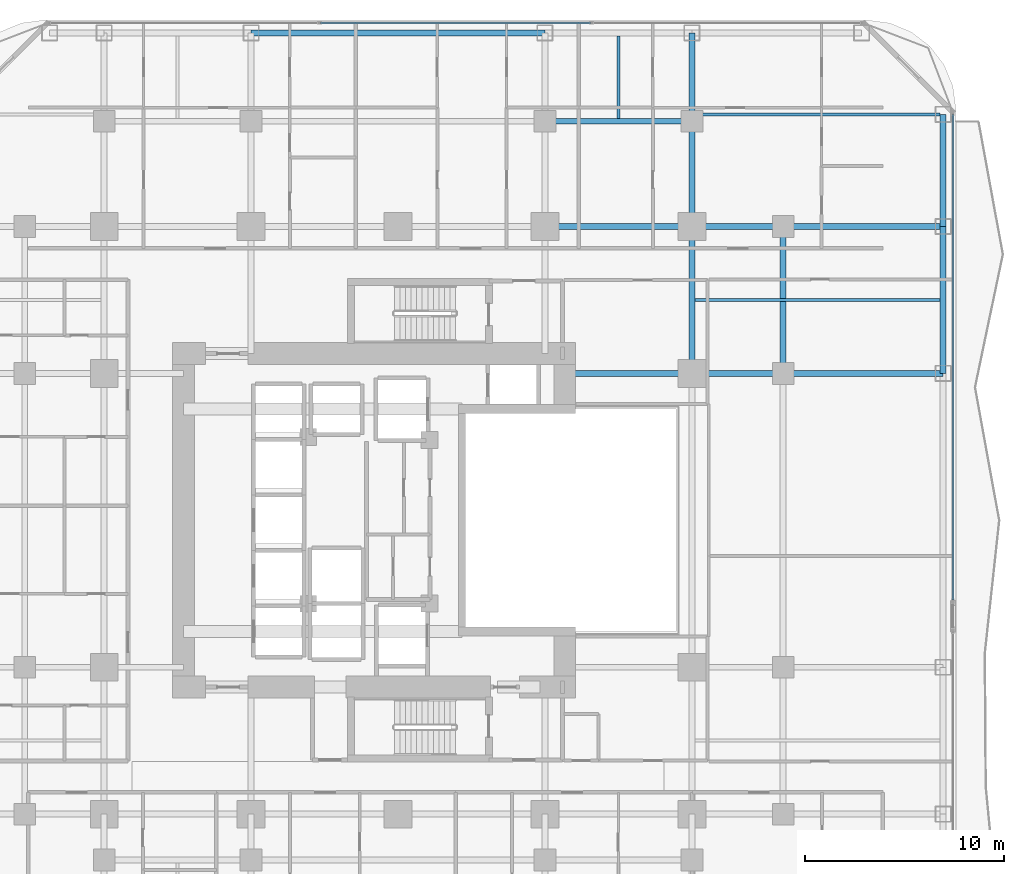
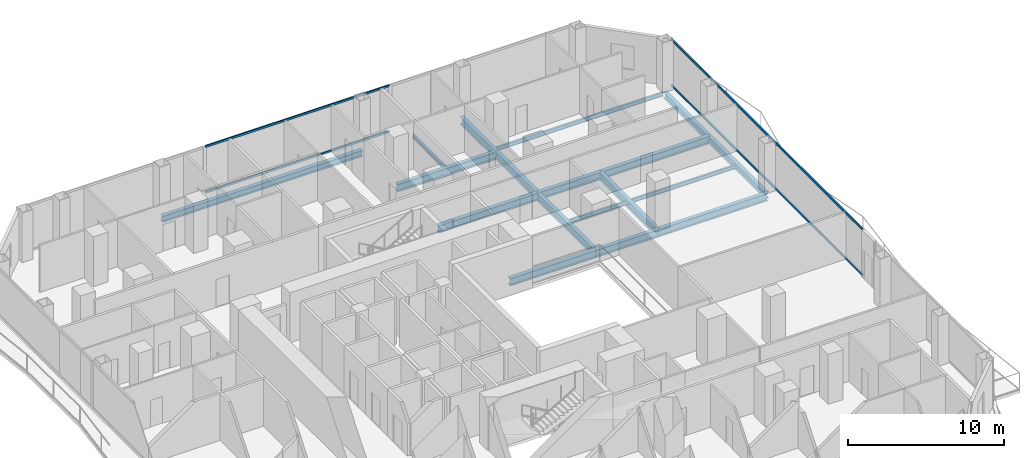
# One storey, part 16 of 28: 17 beams, 4 members, 2 elements without a shape of their own.
"""IFC4 building model written with IfcOpenShell, lengths in metres."""

from ifc_helpers import new_model, si_unit, direction, frame, origin, origin_2d, place, context, subcontext, project, spatial, hollow_rectangle, i_section, extrude, material, layer, layer_set, material_profile, profile_set, type_object, element, aggregate, save


model = new_model("IFC4")

# Units and contexts
model_context = context("Model", 3, precision=1e-05, world=origin(), true_north=direction((0.0, 1.0)))
body_context = subcontext(model_context, "Body", "Model", "MODEL_VIEW")
ifc_project = project(units=[si_unit("LENGTHUNIT", "METRE"), si_unit("AREAUNIT", "SQUARE_METRE"), si_unit("VOLUMEUNIT", "CUBIC_METRE"), si_unit("PLANEANGLEUNIT", "RADIAN"), si_unit("MASSUNIT", "GRAM", prefix="KILO")], contexts=[model_context])

# Site, building, storey
site_placement = place(None, origin())
site = spatial("IfcSite", under=ifc_project, at=site_placement, CompositionType="ELEMENT")
building_placement = place(site_placement, origin())
building = spatial("IfcBuilding", under=site, at=building_placement, Name="Khorvyn Point Tower", CompositionType="ELEMENT")
storey_placement = place(building_placement, frame((0.0, 0.0, 34.5)))
storey = spatial("IfcBuildingStorey", under=building, at=storey_placement, Name="L09", CompositionType="ELEMENT", Elevation=34.5)

# Curtain wall, members
ifc_material_1 = material(Name="Anodised aluminium 6063-T6 and laminated Low-E glass", Category="aluminium")
ifc_layer = layer(ifc_material_1, 0.18994140625)
ifc_layer_set = layer_set([ifc_layer], Name="Stick-Built Finned Residential Curtain Wall CW-SYS-02")
curtain_wall_type = type_object("IfcCurtainWallType", Name="Stick-Built Finned Residential Curtain Wall CW-SYS-02", PredefinedType="NOTDEFINED", material=ifc_layer_set)
curtain_wall_1_placement = place(storey_placement, origin())
curtain_wall_1 = element("IfcCurtainWall", 1, at=curtain_wall_1_placement, inside=storey, type_object=curtain_wall_type, Name="Curtain Wall", PredefinedType="NOTDEFINED")
ifc_material_2 = material(Name="Anodised aluminium 6063-T6", Category="aluminium")
ifc_material_profile_1 = material_profile(ifc_material_2, hollow_rectangle(XDim=0.10009765625, YDim=0.159912109375, WallThickness=0.00439453125, at=origin_2d()))
ifc_profile_set_1 = profile_set([ifc_material_profile_1], Name="Anodised aluminium 6063-T6 ALU-TRN-100x160")
member_type = type_object("IfcMemberType", Name="Anodised Aluminium 6063-T6 Transom ALU-TRN-100x160", PredefinedType="USERDEFINED", material=ifc_profile_set_1)
member_1_placement = place(storey_placement, frame((-3.89990234375, 25.050048828125, 0.050048828125), z_axis=(1.0, 0.0, 0.0), x_axis=(0.0, 1.0, 0.0)))
member_1 = element("IfcMember", 2, at=member_1_placement, type_object=member_type, Name="Transom", ObjectType="TRANSOM", PredefinedType="USERDEFINED", context=body_context, shape_type="SweptSolid", body=[
    extrude(hollow_rectangle(XDim=0.10009765625, YDim=0.159912109375, WallThickness=0.00439453125, at=origin_2d()), origin(), (0.0, 0.0, 1.0), 13.599853515625),
])
member_2_placement = place(storey_placement, frame((-3.89990234375, 25.050048828125, 3.6298828125), z_axis=(1.0, 0.0, 0.0), x_axis=(0.0, 1.0, 0.0)))
member_2 = element("IfcMember", 3, at=member_2_placement, type_object=member_type, Name="Transom", ObjectType="TRANSOM", PredefinedType="USERDEFINED", context=body_context, shape_type="SweptSolid", body=[
    extrude(hollow_rectangle(XDim=0.10009765625, YDim=0.159912109375, WallThickness=0.00439453125, at=origin_2d()), origin(), (0.0, 0.0, 1.0), 13.599853515625),
])
aggregate(curtain_wall_1, [member_1, member_2])

curtain_wall_2_placement = place(storey_placement, origin())
curtain_wall_2 = element("IfcCurtainWall", 4, at=curtain_wall_2_placement, inside=storey, type_object=curtain_wall_type, Name="Curtain Wall", PredefinedType="NOTDEFINED")
member_3_placement = place(storey_placement, frame((27.949951171875, 20.449951171875, 0.050048828125), z_axis=(0.0, -1.0, 0.0), x_axis=(1.0, 0.0, 0.0)))
member_3 = element("IfcMember", 5, at=member_3_placement, type_object=member_type, Name="Transom", ObjectType="TRANSOM", PredefinedType="USERDEFINED", context=body_context, shape_type="SweptSolid", body=[
    extrude(hollow_rectangle(XDim=0.10009765625, YDim=0.159912109375, WallThickness=0.00439453125, at=origin_2d()), origin(), (0.0, 0.0, 1.0), 24.4599609375),
])
member_4_placement = place(storey_placement, frame((27.949951171875, 20.449951171875, 3.6298828125), z_axis=(0.0, -1.0, 0.0), x_axis=(1.0, 0.0, 0.0)))
member_4 = element("IfcMember", 6, at=member_4_placement, type_object=member_type, Name="Transom", ObjectType="TRANSOM", PredefinedType="USERDEFINED", context=body_context, shape_type="SweptSolid", body=[
    extrude(hollow_rectangle(XDim=0.10009765625, YDim=0.159912109375, WallThickness=0.00439453125, at=origin_2d()), origin(), (0.0, 0.0, 1.0), 24.4599609375),
])
aggregate(curtain_wall_2, [member_3, member_4])

# Beams
ifc_material_3 = material(Name="Steel S355", Category="steel")
ifc_material_profile_2 = material_profile(ifc_material_3, i_section(OverallWidth=0.300048828125, OverallDepth=0.587890625, WebThickness=0.011962890625, FlangeThickness=0.02001953125, at=origin_2d()))
ifc_profile_set_2 = profile_set([ifc_material_profile_2], Name="Steel S355 H588x300x12x20")
beam_type_1 = type_object("IfcBeamType", Name="Steel S355 Beam H588x300x12x20", PredefinedType="BEAM", material=ifc_profile_set_2)
beam_1_placement = place(storey_placement, frame((7.39990234375, 14.800048828125, -0.513916015625), z_axis=(1.0, 0.0, 0.0), x_axis=(0.0, 1.0, 0.0)))
element("IfcBeam", 7, at=beam_1_placement, inside=storey, type_object=beam_type_1, Name="Beam", PredefinedType="BEAM", context=body_context, shape_type="SweptSolid", body=[
    extrude(i_section(OverallWidth=0.300048828125, OverallDepth=0.587890625, WebThickness=0.011962890625, FlangeThickness=0.02001953125, at=origin_2d()), origin(), (0.0, 0.0, 1.0), 7.400146484375),
])
beam_2_placement = place(storey_placement, frame((14.800048828125, 14.800048828125, -0.513916015625), z_axis=(1.0, 0.0, 0.0), x_axis=(0.0, 1.0, 0.0)))
element("IfcBeam", 8, at=beam_2_placement, inside=storey, type_object=beam_type_1, Name="Beam", PredefinedType="BEAM", context=body_context, shape_type="SweptSolid", body=[
    extrude(i_section(OverallWidth=0.300048828125, OverallDepth=0.587890625, WebThickness=0.011962890625, FlangeThickness=0.02001953125, at=origin_2d()), origin(), (0.0, 0.0, 1.0), 4.599853515625),
])
beam_3_placement = place(storey_placement, frame((19.39990234375, 14.800048828125, -0.513916015625), z_axis=(1.0, 0.0, 0.0), x_axis=(0.0, 1.0, 0.0)))
element("IfcBeam", 9, at=beam_3_placement, inside=storey, type_object=beam_type_1, Name="Beam", PredefinedType="BEAM", context=body_context, shape_type="SweptSolid", body=[
    extrude(i_section(OverallWidth=0.300048828125, OverallDepth=0.587890625, WebThickness=0.011962890625, FlangeThickness=0.02001953125, at=origin_2d()), origin(), (0.0, 0.0, 1.0), 8.050048828125),
])
beam_4_placement = place(storey_placement, frame((8.39990234375, 7.39990234375, -0.513916015625), z_axis=(1.0, 0.0, 0.0), x_axis=(0.0, 1.0, 0.0)))
element("IfcBeam", 10, at=beam_4_placement, inside=storey, type_object=beam_type_1, Name="Beam", PredefinedType="BEAM", context=body_context, shape_type="SweptSolid", body=[
    extrude(i_section(OverallWidth=0.300048828125, OverallDepth=0.587890625, WebThickness=0.011962890625, FlangeThickness=0.02001953125, at=origin_2d()), origin(), (0.0, 0.0, 1.0), 6.400146484375),
])
beam_5_placement = place(storey_placement, frame((14.800048828125, 7.39990234375, -0.513916015625), z_axis=(1.0, 0.0, 0.0), x_axis=(0.0, 1.0, 0.0)))
element("IfcBeam", 11, at=beam_5_placement, inside=storey, type_object=beam_type_1, Name="Beam", PredefinedType="BEAM", context=body_context, shape_type="SweptSolid", body=[
    extrude(i_section(OverallWidth=0.300048828125, OverallDepth=0.587890625, WebThickness=0.011962890625, FlangeThickness=0.02001953125, at=origin_2d()), origin(), (0.0, 0.0, 1.0), 4.599853515625),
])
beam_6_placement = place(storey_placement, frame((19.39990234375, 7.39990234375, -0.513916015625), z_axis=(1.0, 0.0, 0.0), x_axis=(0.0, 1.0, 0.0)))
element("IfcBeam", 12, at=beam_6_placement, inside=storey, type_object=beam_type_1, Name="Beam", PredefinedType="BEAM", context=body_context, shape_type="SweptSolid", body=[
    extrude(i_section(OverallWidth=0.300048828125, OverallDepth=0.587890625, WebThickness=0.011962890625, FlangeThickness=0.02001953125, at=origin_2d()), origin(), (0.0, 0.0, 1.0), 8.050048828125),
])
for number, where, z_axis, x_axis, name in (
    (13, (7.39990234375, 20.10009765625, -0.513916015625), (1.0, 0.0, 0.0), (0.0, 1.0, 0.0), "Beam"),
    (14, (14.800048828125, 7.39990234375, -0.513916015625), (0.0, 1.0, 0.0), (-1.0, 0.0, 0.0), "Beam"),
):
    element("IfcBeam", number, at=place(storey_placement, frame(where, z_axis=z_axis, x_axis=x_axis)), inside=storey, type_object=beam_type_1, Name=name, PredefinedType="BEAM", context=body_context, shape_type="SweptSolid", body=[
        extrude(i_section(OverallWidth=0.300048828125, OverallDepth=0.587890625, WebThickness=0.011962890625, FlangeThickness=0.02001953125, at=origin_2d()), origin(), (0.0, 0.0, 1.0), 7.400146484375),
    ])
beam_7_placement = place(storey_placement, frame((14.800048828125, 14.800048828125, -0.513916015625), z_axis=(0.0, 1.0, 0.0), x_axis=(-1.0, 0.0, 0.0)))
element("IfcBeam", 15, at=beam_7_placement, inside=storey, type_object=beam_type_1, Name="Beam", PredefinedType="BEAM", context=body_context, shape_type="SweptSolid", body=[
    extrude(i_section(OverallWidth=0.300048828125, OverallDepth=0.587890625, WebThickness=0.011962890625, FlangeThickness=0.02001953125, at=origin_2d()), origin(), (0.0, 0.0, 1.0), 5.300048828125),
])
beam_8_placement = place(storey_placement, frame((14.800048828125, 20.10009765625, -0.513916015625), z_axis=(0.0, 1.0, 0.0), x_axis=(-1.0, 0.0, 0.0)))
element("IfcBeam", 16, at=beam_8_placement, inside=storey, type_object=beam_type_1, Name="Beam", PredefinedType="BEAM", context=body_context, shape_type="SweptSolid", body=[
    extrude(i_section(OverallWidth=0.300048828125, OverallDepth=0.587890625, WebThickness=0.011962890625, FlangeThickness=0.02001953125, at=origin_2d()), origin(), (0.0, 0.0, 1.0), 4.449951171875),
])
beam_9_placement = place(storey_placement, frame((19.39990234375, 7.39990234375, -0.513916015625), z_axis=(0.0, 1.0, 0.0), x_axis=(-1.0, 0.0, 0.0)))
element("IfcBeam", 17, at=beam_9_placement, inside=storey, type_object=beam_type_1, Name="Beam", PredefinedType="BEAM", context=body_context, shape_type="SweptSolid", body=[
    extrude(i_section(OverallWidth=0.300048828125, OverallDepth=0.587890625, WebThickness=0.011962890625, FlangeThickness=0.02001953125, at=origin_2d()), origin(), (0.0, 0.0, 1.0), 7.400146484375),
])
ifc_material_profile_3 = material_profile(ifc_material_3, i_section(OverallWidth=0.14990234375, OverallDepth=0.300048828125, WebThickness=0.006591796875, FlangeThickness=0.009033203125, at=origin_2d()))
ifc_profile_set_3 = profile_set([ifc_material_profile_3], Name="Steel S355 H300x150x6.5x9")
beam_type_2 = type_object("IfcBeamType", Name="Steel S355 Joist H300x150x6.5x9", PredefinedType="JOIST", material=ifc_profile_set_3)
beam_10_placement = place(storey_placement, frame((14.949951171875, 11.10009765625, -0.3701171875), z_axis=(1.0, 0.0, 0.0), x_axis=(0.0, 1.0, 0.0)))
element("IfcBeam", 18, at=beam_10_placement, inside=storey, type_object=beam_type_2, Name="Beam", PredefinedType="JOIST", context=body_context, shape_type="SweptSolid", body=[
    extrude(i_section(OverallWidth=0.14990234375, OverallDepth=0.300048828125, WebThickness=0.006591796875, FlangeThickness=0.009033203125, at=origin_2d()), origin(), (0.0, 0.0, 1.0), 12.35009765625),
])
beam_11_placement = place(storey_placement, frame((11.10009765625, 20.25, -0.3701171875), z_axis=(0.0, 1.0, 0.0), x_axis=(-1.0, 0.0, 0.0)))
element("IfcBeam", 19, at=beam_11_placement, inside=storey, type_object=beam_type_2, Name="Beam", PredefinedType="JOIST", context=body_context, shape_type="SweptSolid", body=[
    extrude(i_section(OverallWidth=0.14990234375, OverallDepth=0.300048828125, WebThickness=0.006591796875, FlangeThickness=0.009033203125, at=origin_2d()), origin(), (0.0, 0.0, 1.0), 4.14990234375),
])
beam_12_placement = place(storey_placement, frame((14.949951171875, 20.449951171875, -0.3701171875), z_axis=(1.0, 0.0, 0.0), x_axis=(0.0, 1.0, 0.0)))
element("IfcBeam", 20, at=beam_12_placement, inside=storey, type_object=beam_type_2, Name="Beam", PredefinedType="JOIST", context=body_context, shape_type="SweptSolid", body=[
    extrude(i_section(OverallWidth=0.14990234375, OverallDepth=0.300048828125, WebThickness=0.006591796875, FlangeThickness=0.009033203125, at=origin_2d()), origin(), (0.0, 0.0, 1.0), 12.35009765625),
])
ifc_material_profile_4 = material_profile(ifc_material_3, i_section(OverallWidth=0.300048828125, OverallDepth=0.488037109375, WebThickness=0.010986328125, FlangeThickness=0.01806640625, at=origin_2d()))
ifc_profile_set_4 = profile_set([ifc_material_profile_4], Name="Steel S355 H488x300x11x18")
beam_type_3 = type_object("IfcBeamType", Name="Steel S355 Spandrel H488x300x11x18", PredefinedType="SPANDREL", material=ifc_profile_set_4)
beam_13_placement = place(storey_placement, frame((-7.39990234375, 24.550048828125, -0.464111328125), z_axis=(1.0, 0.0, 0.0), x_axis=(0.0, 1.0, 0.0)))
element("IfcBeam", 21, at=beam_13_placement, inside=storey, type_object=beam_type_3, Name="Beam", PredefinedType="SPANDREL", context=body_context, shape_type="SweptSolid", body=[
    extrude(i_section(OverallWidth=0.300048828125, OverallDepth=0.488037109375, WebThickness=0.010986328125, FlangeThickness=0.01806640625, at=origin_2d()), origin(), (0.0, 0.0, 1.0), 14.7998046875),
])
beam_14_placement = place(storey_placement, frame((27.449951171875, 7.39990234375, -0.464111328125), z_axis=(0.0, 1.0, 0.0), x_axis=(-1.0, 0.0, 0.0)))
element("IfcBeam", 22, at=beam_14_placement, inside=storey, type_object=beam_type_3, Name="Beam", PredefinedType="SPANDREL", context=body_context, shape_type="SweptSolid", body=[
    extrude(i_section(OverallWidth=0.300048828125, OverallDepth=0.488037109375, WebThickness=0.010986328125, FlangeThickness=0.01806640625, at=origin_2d()), origin(), (0.0, 0.0, 1.0), 7.400146484375),
])
beam_15_placement = place(storey_placement, frame((27.449951171875, 14.800048828125, -0.464111328125), z_axis=(0.0, 1.0, 0.0), x_axis=(-1.0, 0.0, 0.0)))
element("IfcBeam", 23, at=beam_15_placement, inside=storey, type_object=beam_type_3, Name="Beam", PredefinedType="SPANDREL", context=body_context, shape_type="SweptSolid", body=[
    extrude(i_section(OverallWidth=0.300048828125, OverallDepth=0.488037109375, WebThickness=0.010986328125, FlangeThickness=0.01806640625, at=origin_2d()), origin(), (0.0, 0.0, 1.0), 5.64990234375),
])

save(model, "model.ifc")
